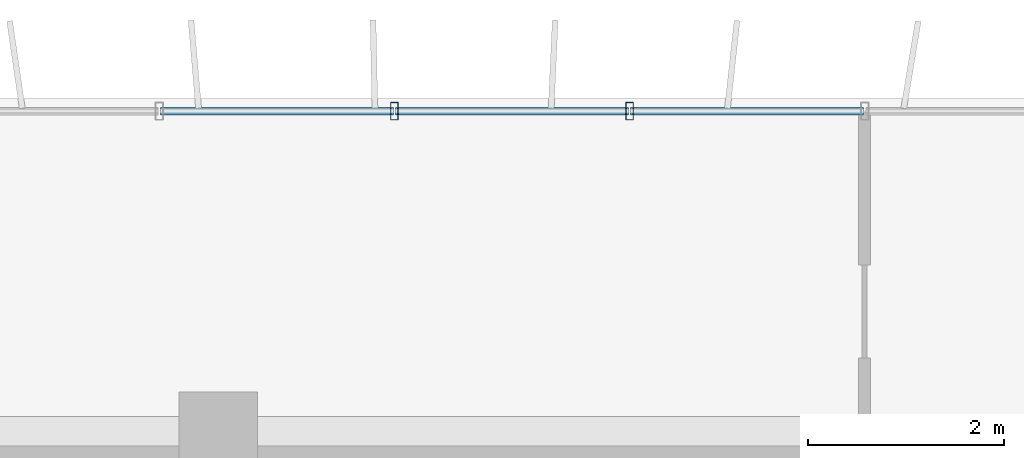
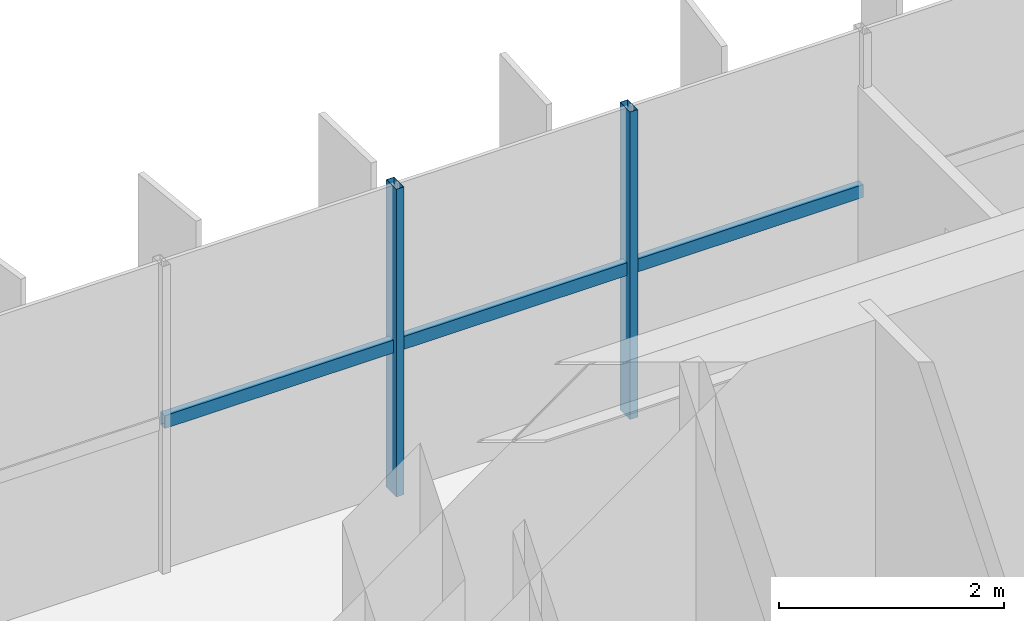
# One storey, part 7 of 22: 5 members, 1 element without a shape of its own.
"""IFC4 building model written with IfcOpenShell, lengths in metres."""

from ifc_helpers import new_model, si_unit, direction, frame, origin, origin_2d, place, context, subcontext, project, spatial, hollow_rectangle, extrude, source, transform, mapped, material, material_profile, profile_set, type_object, element, aggregate, save


model = new_model("IFC4")

# Units and contexts
model_context = context("Model", 3, precision=1e-05, world=origin(), true_north=direction((0.0, 1.0)))
body_context = subcontext(model_context, "Body", "Model", "MODEL_VIEW")
ifc_project = project(units=[si_unit("LENGTHUNIT", "METRE"), si_unit("AREAUNIT", "SQUARE_METRE"), si_unit("VOLUMEUNIT", "CUBIC_METRE"), si_unit("PLANEANGLEUNIT", "RADIAN"), si_unit("MASSUNIT", "GRAM", prefix="KILO")], contexts=[model_context])

# Site, building, storey
site_placement = place(None, origin())
site = spatial("IfcSite", under=ifc_project, at=site_placement, CompositionType="ELEMENT")
building_placement = place(site_placement, origin())
building = spatial("IfcBuilding", under=site, at=building_placement, Name="Trelvane Seafront Commons", CompositionType="ELEMENT")
storey_placement = place(building_placement, frame((0.0, 0.0, 88.89990234375)))
storey = spatial("IfcBuildingStorey", under=building, at=storey_placement, Name="L22", CompositionType="ELEMENT", Elevation=88.89990234375)

# Curtain wall, members
ifc_material = material(Name="Anodised pale-silver aluminium", Category="aluminium")
curtain_wall_type = type_object("IfcCurtainWallType", Name="ARCH-CW4-SKYLOBBY", PredefinedType="NOTDEFINED", material=ifc_material)
curtain_wall_placement = place(storey_placement, origin())
curtain_wall = element("IfcCurtainWall", 1, at=curtain_wall_placement, inside=storey, type_object=curtain_wall_type, Name="CW-L22-0047", PredefinedType="NOTDEFINED")
ifc_material_profile_1 = material_profile(ifc_material, hollow_rectangle(XDim=0.074951171875, YDim=0.139892578125, WallThickness=0.00390625, at=origin_2d()), Name="TRAN-75x140x4")
ifc_profile_set_1 = profile_set([ifc_material_profile_1], Name="Anodised pale-silver aluminium")
member_type_1 = type_object("IfcMemberType", Name="ARCH-CW-TRAN-140", PredefinedType="USERDEFINED", material=ifc_profile_set_1)
shared_shape_1 = source(origin(), body_context, "Body", "SweptSolid", [
    extrude(hollow_rectangle(XDim=0.074951171875, YDim=0.139892578125, WallThickness=0.00390625, at=origin_2d()), origin(), (0.0, 0.0, 1.0), 2.3759765625),
])
member_1_placement = place(storey_placement, frame((30.011962890625, 48.3701171875, 1.60302734375), z_axis=(1.0, 0.0, 0.0), x_axis=(0.0, 1.0, 0.0)))
member_1 = element("IfcMember", 2, at=member_1_placement, type_object=member_type_1, Name="CW-L22-0047-T06", ObjectType="TRANSOM", PredefinedType="USERDEFINED", context=body_context, shape_type="MappedRepresentation", body=[
    mapped(shared_shape_1, transform((0.0, 0.0, 0.0), x_axis=(1.0, 0.0, 0.0), y_axis=(0.0, 1.0, 0.0), z_axis=(0.0, 0.0, 1.0), scale=1.0)),
])
member_2_placement = place(storey_placement, frame((32.412109375, 48.3701171875, 1.60302734375), z_axis=(1.0, 0.0, 0.0), x_axis=(0.0, 1.0, 0.0)))
member_2 = element("IfcMember", 3, at=member_2_placement, type_object=member_type_1, Name="CW-L22-0047-T07", ObjectType="TRANSOM", PredefinedType="USERDEFINED", context=body_context, shape_type="MappedRepresentation", body=[
    mapped(shared_shape_1, transform((0.0, 0.0, 0.0), x_axis=(1.0, 0.0, 0.0), y_axis=(0.0, 1.0, 0.0), z_axis=(0.0, 0.0, 1.0), scale=1.0)),
])
member_3_placement = place(storey_placement, frame((34.81201171875, 48.3701171875, 1.60302734375), z_axis=(1.0, 0.0, 0.0), x_axis=(0.0, 1.0, 0.0)))
member_3 = element("IfcMember", 4, at=member_3_placement, type_object=member_type_1, Name="CW-L22-0047-T08", ObjectType="TRANSOM", PredefinedType="USERDEFINED", context=body_context, shape_type="MappedRepresentation", body=[
    mapped(shared_shape_1, transform((0.0, 0.0, 0.0), x_axis=(1.0, 0.0, 0.0), y_axis=(0.0, 1.0, 0.0), z_axis=(0.0, 0.0, 1.0), scale=1.0)),
])
ifc_material_profile_2 = material_profile(ifc_material, hollow_rectangle(XDim=0.080078125, YDim=0.179931640625, WallThickness=0.00439453125, at=origin_2d()), Name="MULL-80x180x4.5")
ifc_profile_set_2 = profile_set([ifc_material_profile_2], Name="Anodised pale-silver aluminium")
member_type_2 = type_object("IfcMemberType", Name="ARCH-CW-MULL-180", PredefinedType="MULLION", material=ifc_profile_set_2)
shared_shape_2 = source(origin(), body_context, "Body", "SweptSolid", [
    extrude(hollow_rectangle(XDim=0.080078125, YDim=0.179931640625, WallThickness=0.00439453125, at=origin_2d()), origin(), (0.0, 0.0, 1.0), 3.340087890625),
])
member_4_placement = place(storey_placement, frame((32.39990234375, 48.3701171875, 0.0), z_axis=(0.0, 0.0, 1.0), x_axis=(1.0, 0.0, 0.0)))
member_4 = element("IfcMember", 5, at=member_4_placement, type_object=member_type_2, Name="CW-L22-0047-M07", PredefinedType="MULLION", context=body_context, shape_type="MappedRepresentation", body=[
    mapped(shared_shape_2, transform((0.0, 0.0, 0.0), x_axis=(1.0, 0.0, 0.0), y_axis=(0.0, 1.0, 0.0), z_axis=(0.0, 0.0, 1.0), scale=1.0)),
])
member_5_placement = place(storey_placement, frame((34.800048828125, 48.3701171875, 0.0), z_axis=(0.0, 0.0, 1.0), x_axis=(1.0, 0.0, 0.0)))
member_5 = element("IfcMember", 6, at=member_5_placement, type_object=member_type_2, Name="CW-L22-0047-M08", PredefinedType="MULLION", context=body_context, shape_type="MappedRepresentation", body=[
    mapped(shared_shape_2, transform((0.0, 0.0, 0.0), x_axis=(1.0, 0.0, 0.0), y_axis=(0.0, 1.0, 0.0), z_axis=(0.0, 0.0, 1.0), scale=1.0)),
])
aggregate(curtain_wall, [member_4, member_5, member_1, member_2, member_3])

save(model, "model.ifc")
